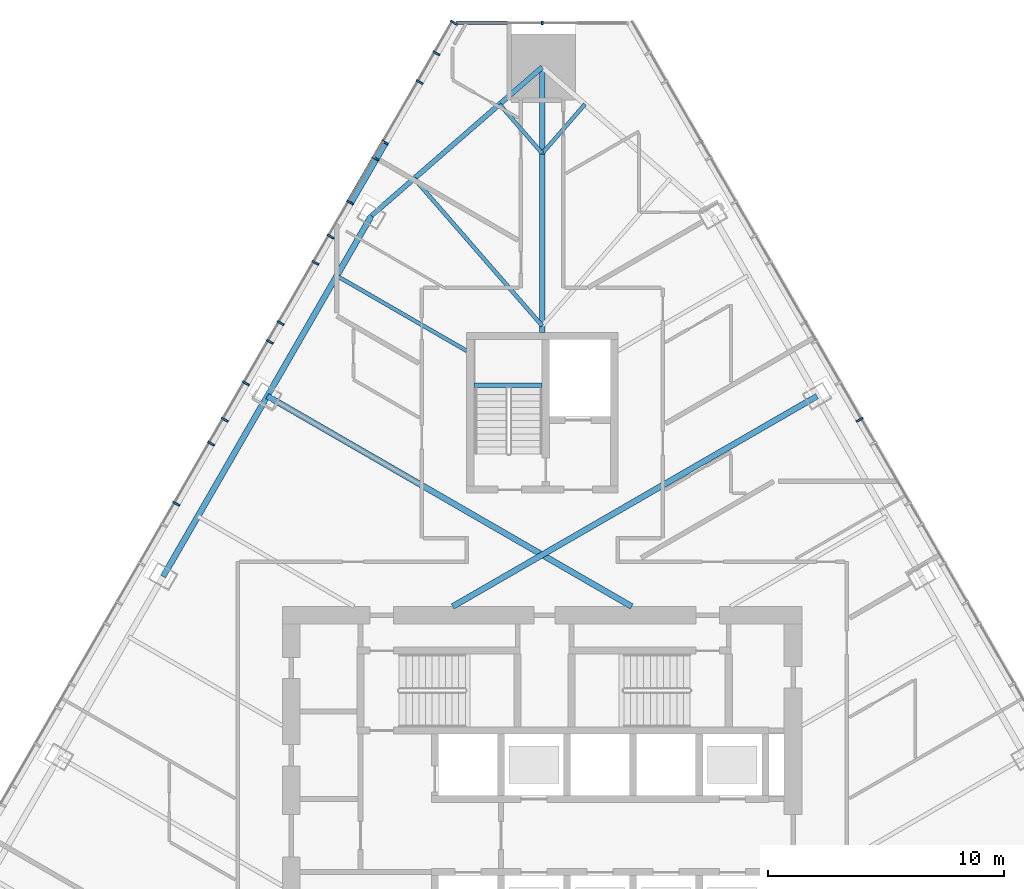
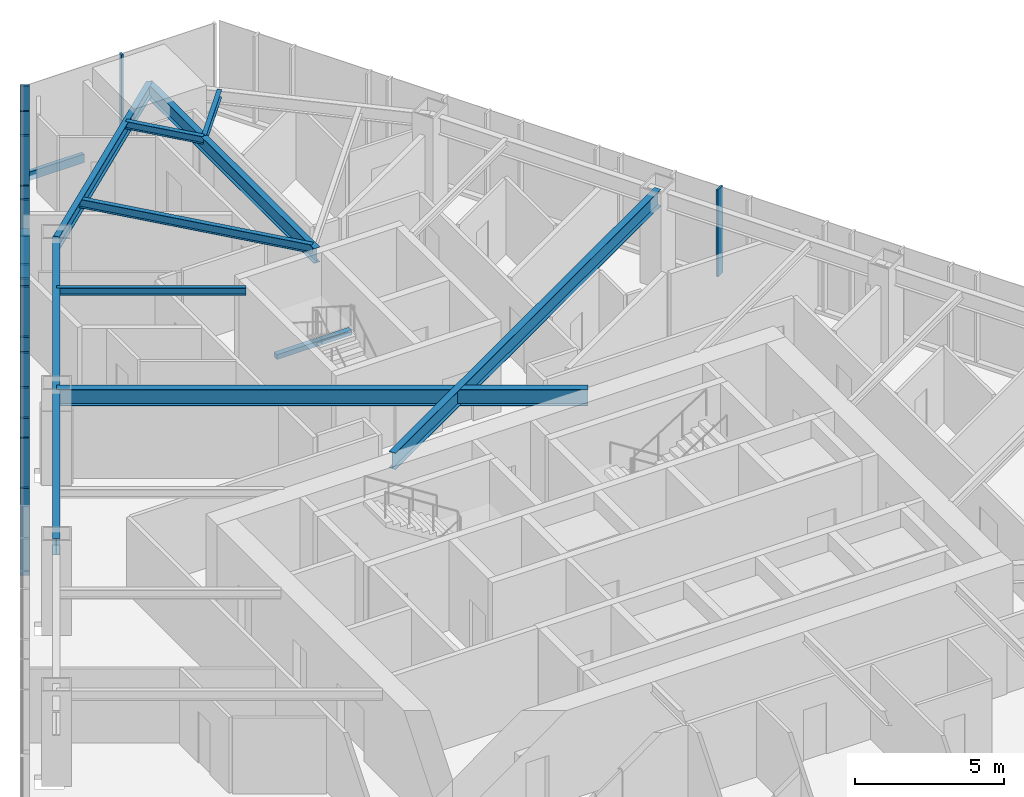
# One storey, part 7 of 19: 18 members, 10 beams, 3 elements without a shape of their own.
"""IFC4 building model written with IfcOpenShell, lengths in metres."""

from ifc_helpers import new_model, si_unit, direction, frame, origin, origin_2d, place, context, subcontext, project, spatial, rectangle, i_section, extrude, material, layer, layer_set, material_profile, profile_set, type_object, element, aggregate, save


model = new_model("IFC4")

# Units and contexts
model_context = context("Model", 3, precision=1e-05, world=origin(), true_north=direction((0.0, 1.0)))
body_context = subcontext(model_context, "Body", "Model", "MODEL_VIEW")
ifc_project = project(units=[si_unit("LENGTHUNIT", "METRE"), si_unit("AREAUNIT", "SQUARE_METRE"), si_unit("VOLUMEUNIT", "CUBIC_METRE"), si_unit("PLANEANGLEUNIT", "RADIAN"), si_unit("MASSUNIT", "GRAM", prefix="KILO")], contexts=[model_context])

# Site, building, storey
site_placement = place(None, origin())
site = spatial("IfcSite", under=ifc_project, at=site_placement, CompositionType="ELEMENT")
building_placement = place(site_placement, origin())
building = spatial("IfcBuilding", under=site, at=building_placement, Name="Firuza Gate Tower and Library", CompositionType="ELEMENT")
storey_placement = place(building_placement, frame((0.0, 0.0, 179.199951171875)))
storey = spatial("IfcBuildingStorey", under=building, at=storey_placement, Name="L41", CompositionType="ELEMENT", Elevation=179.199951171875)

# Curtain wall, member
ifc_material_1 = material(Name="Aluminium 6063-T6", Category="aluminium")
ifc_layer_1 = layer(ifc_material_1, 0.14990234375)
ifc_layer_set_1 = layer_set([ifc_layer_1], Name="Corner curtain wall, chamfers")
curtain_wall_type_1 = type_object("IfcCurtainWallType", Name="Corner curtain wall, chamfers", PredefinedType="NOTDEFINED", material=ifc_layer_set_1)
placement = place(storey_placement, origin())
curtain_wall_1 = element("IfcCurtainWall", 1, at=placement, inside=storey, type_object=curtain_wall_type_1, Name="CW4 L41 N corner", PredefinedType="NOTDEFINED")
ifc_material_2 = material(Name="Aluminium 6063-T6", Category="aluminium")
ifc_material_profile_1 = material_profile(ifc_material_2, rectangle(XDim=0.14990234375, YDim=0.080078125, at=origin_2d()))
ifc_profile_set_1 = profile_set([ifc_material_profile_1], Name="Aluminium 6063-T6")
member_type_1 = type_object("IfcMemberType", Name="Curtain wall mullion 80x150", PredefinedType="MULLION", material=ifc_profile_set_1)
member_1_placement = place(storey_placement, frame((75.0, 107.72021484375, 0.150146484375), z_axis=(0.0, 0.0, 1.0), x_axis=(0.0, -1.0, 0.0)))
member_1 = element("IfcMember", 2, at=member_1_placement, type_object=member_type_1, Name="Mullion", PredefinedType="MULLION", context=body_context, shape_type="SweptSolid", body=[
    extrude(rectangle(XDim=0.14990234375, YDim=0.080078125, at=origin_2d()), origin(), (0.0, 0.0, 1.0), 3.5498046875),
])

ifc_material_3 = material(Name="Aluminium 6063-T6", Category="aluminium")
ifc_layer_2 = layer(ifc_material_3, 0.14990234375)
ifc_layer_set_2 = layer_set([ifc_layer_2], Name="Unitised curtain wall, hotel")
curtain_wall_type_2 = type_object("IfcCurtainWallType", Name="Unitised curtain wall, hotel", PredefinedType="NOTDEFINED", material=ifc_layer_set_2)
curtain_wall_2 = element("IfcCurtainWall", 3, at=placement, inside=storey, type_object=curtain_wall_type_2, Name="CW2 L41 E face", PredefinedType="NOTDEFINED")
ifc_material_4 = material(Name="Aluminium 6063-T6", Category="aluminium")
ifc_material_profile_2 = material_profile(ifc_material_4, rectangle(XDim=0.320068359375, YDim=0.080078125, at=origin_2d()))
ifc_profile_set_2 = profile_set([ifc_material_profile_2], Name="Aluminium 6063-T6")
member_type_2 = type_object("IfcMemberType", Name="Curtain wall mullion 80x320", PredefinedType="MULLION", material=ifc_profile_set_2)
member_2_placement = place(storey_placement, frame((88.44677734375, 90.91015625, 0.150146484375), z_axis=(0.0, 0.0, 1.0), x_axis=(-0.866025403784, -0.5, 0.0)))
member_2 = element("IfcMember", 4, at=member_2_placement, type_object=member_type_2, Name="Mullion", PredefinedType="MULLION", context=body_context, shape_type="SweptSolid", body=[
    extrude(rectangle(XDim=0.320068359375, YDim=0.080078125, at=origin_2d()), origin(), (0.0, 0.0, 1.0), 3.5498046875),
])
aggregate(curtain_wall_2, [member_2])

# Curtain wall, members
curtain_wall_3 = element("IfcCurtainWall", 5, at=placement, inside=storey, type_object=curtain_wall_type_2, Name="CW2 L41 W face", PredefinedType="NOTDEFINED")
member_3_placement = place(storey_placement, frame((71.26318359375, 107.72802734375, 0.150146484375), z_axis=(0.0, 0.0, 1.0), x_axis=(0.866025403784, -0.5, 0.0)))
member_3 = element("IfcMember", 6, at=member_3_placement, type_object=member_type_2, Name="Mullion", PredefinedType="MULLION", context=body_context, shape_type="SweptSolid", body=[
    extrude(rectangle(XDim=0.320068359375, YDim=0.080078125, at=origin_2d()), origin(), (0.0, 0.0, 1.0), 3.5498046875),
])
member_4_placement = place(storey_placement, frame((69.81005859375, 105.211181640625, 0.150146484375), z_axis=(0.0, 0.0, 1.0), x_axis=(0.866025403784, -0.5, 0.0)))
member_4 = element("IfcMember", 7, at=member_4_placement, type_object=member_type_2, Name="Mullion", PredefinedType="MULLION", context=body_context, shape_type="SweptSolid", body=[
    extrude(rectangle(XDim=0.320068359375, YDim=0.080078125, at=origin_2d()), origin(), (0.0, 0.0, 1.0), 3.5498046875),
])
member_5_placement = place(storey_placement, frame((68.3369140625, 102.659912109375, 0.150146484375), z_axis=(0.0, 0.0, 1.0), x_axis=(0.866025403784, -0.5, 0.0)))
member_5 = element("IfcMember", 8, at=member_5_placement, type_object=member_type_2, Name="Mullion", PredefinedType="MULLION", context=body_context, shape_type="SweptSolid", body=[
    extrude(rectangle(XDim=0.320068359375, YDim=0.080078125, at=origin_2d()), origin(), (0.0, 0.0, 1.0), 3.5498046875),
])
member_6_placement = place(storey_placement, frame((66.864013671875, 100.1083984375, 0.150146484375), z_axis=(0.0, 0.0, 1.0), x_axis=(0.866025403784, -0.5, 0.0)))
member_6 = element("IfcMember", 9, at=member_6_placement, type_object=member_type_2, Name="Mullion", PredefinedType="MULLION", context=body_context, shape_type="SweptSolid", body=[
    extrude(rectangle(XDim=0.320068359375, YDim=0.080078125, at=origin_2d()), origin(), (0.0, 0.0, 1.0), 3.5498046875),
])
member_7_placement = place(storey_placement, frame((65.390869140625, 97.55712890625, 0.150146484375), z_axis=(0.0, 0.0, 1.0), x_axis=(0.866025403784, -0.5, 0.0)))
member_7 = element("IfcMember", 10, at=member_7_placement, type_object=member_type_2, Name="Mullion", PredefinedType="MULLION", context=body_context, shape_type="SweptSolid", body=[
    extrude(rectangle(XDim=0.320068359375, YDim=0.080078125, at=origin_2d()), origin(), (0.0, 0.0, 1.0), 3.5498046875),
])
member_8_placement = place(storey_placement, frame((63.917724609375, 95.005615234375, 0.150146484375), z_axis=(0.0, 0.0, 1.0), x_axis=(0.866025403784, -0.5, 0.0)))
member_8 = element("IfcMember", 11, at=member_8_placement, type_object=member_type_2, Name="Mullion", PredefinedType="MULLION", context=body_context, shape_type="SweptSolid", body=[
    extrude(rectangle(XDim=0.320068359375, YDim=0.080078125, at=origin_2d()), origin(), (0.0, 0.0, 1.0), 3.5498046875),
])
member_9_placement = place(storey_placement, frame((62.44482421875, 92.454345703125, 0.150146484375), z_axis=(0.0, 0.0, 1.0), x_axis=(0.866025403784, -0.5, 0.0)))
member_9 = element("IfcMember", 12, at=member_9_placement, type_object=member_type_2, Name="Mullion", PredefinedType="MULLION", context=body_context, shape_type="SweptSolid", body=[
    extrude(rectangle(XDim=0.320068359375, YDim=0.080078125, at=origin_2d()), origin(), (0.0, 0.0, 1.0), 3.5498046875),
])
member_10_placement = place(storey_placement, frame((60.9716796875, 89.90283203125, 0.150146484375), z_axis=(0.0, 0.0, 1.0), x_axis=(0.866025403784, -0.5, 0.0)))
member_10 = element("IfcMember", 13, at=member_10_placement, type_object=member_type_2, Name="Mullion", PredefinedType="MULLION", context=body_context, shape_type="SweptSolid", body=[
    extrude(rectangle(XDim=0.320068359375, YDim=0.080078125, at=origin_2d()), origin(), (0.0, 0.0, 1.0), 3.5498046875),
])
member_11_placement = place(storey_placement, frame((59.498779296875, 87.3515625, 0.150146484375), z_axis=(0.0, 0.0, 1.0), x_axis=(0.866025403784, -0.5, 0.0)))
member_11 = element("IfcMember", 14, at=member_11_placement, type_object=member_type_2, Name="Mullion", PredefinedType="MULLION", context=body_context, shape_type="SweptSolid", body=[
    extrude(rectangle(XDim=0.320068359375, YDim=0.080078125, at=origin_2d()), origin(), (0.0, 0.0, 1.0), 3.5498046875),
])
member_12_placement = place(storey_placement, frame((70.51513671875, 106.4326171875, 0.150146484375), z_axis=(0.0, 0.0, 1.0), x_axis=(0.866025403784, -0.5, 0.0)))
member_12 = element("IfcMember", 15, at=member_12_placement, type_object=member_type_2, Name="Mullion", PredefinedType="MULLION", context=body_context, shape_type="SweptSolid", body=[
    extrude(rectangle(XDim=0.320068359375, YDim=0.080078125, at=origin_2d()), origin(), (0.0, 0.0, 1.0), 3.5498046875),
])
member_13_placement = place(storey_placement, frame((67.94091796875, 101.973876953125, 1.965087890625), z_axis=(0.0, 0.0, 1.0), x_axis=(0.866025403784, -0.5, 0.0)))
member_13 = element("IfcMember", 16, at=member_13_placement, type_object=member_type_2, Name="Mullion", PredefinedType="MULLION", context=body_context, shape_type="SweptSolid", body=[
    extrude(rectangle(XDim=0.320068359375, YDim=0.080078125, at=origin_2d()), origin(), (0.0, 0.0, 1.0), 1.73486328125),
])
member_14_placement = place(storey_placement, frame((66.0341796875, 98.67138671875, 0.150146484375), z_axis=(0.0, 0.0, 1.0), x_axis=(0.866025403784, -0.5, 0.0)))
member_14 = element("IfcMember", 17, at=member_14_placement, type_object=member_type_2, Name="Mullion", PredefinedType="MULLION", context=body_context, shape_type="SweptSolid", body=[
    extrude(rectangle(XDim=0.320068359375, YDim=0.080078125, at=origin_2d()), origin(), (0.0, 0.0, 1.0), 3.5498046875),
])
member_15_placement = place(storey_placement, frame((63.4599609375, 94.212646484375, 0.150146484375), z_axis=(0.0, 0.0, 1.0), x_axis=(0.866025403784, -0.5, 0.0)))
member_15 = element("IfcMember", 18, at=member_15_placement, type_object=member_type_2, Name="Mullion", PredefinedType="MULLION", context=body_context, shape_type="SweptSolid", body=[
    extrude(rectangle(XDim=0.320068359375, YDim=0.080078125, at=origin_2d()), origin(), (0.0, 0.0, 1.0), 3.5498046875),
])
member_16_placement = place(storey_placement, frame((61.55322265625, 90.91015625, 0.150146484375), z_axis=(0.0, 0.0, 1.0), x_axis=(0.866025403784, -0.5, 0.0)))
member_16 = element("IfcMember", 19, at=member_16_placement, type_object=member_type_2, Name="Mullion", PredefinedType="MULLION", context=body_context, shape_type="SweptSolid", body=[
    extrude(rectangle(XDim=0.320068359375, YDim=0.080078125, at=origin_2d()), origin(), (0.0, 0.0, 1.0), 3.5498046875),
])

# Member
ifc_material_5 = material(Name="Aluminium 6063-T6", Category="aluminium")
ifc_material_profile_3 = material_profile(ifc_material_5, rectangle(XDim=0.14990234375, YDim=0.35009765625, at=origin_2d()))
ifc_profile_set_3 = profile_set([ifc_material_profile_3], Name="Aluminium 6063-T6")
member_type_3 = type_object("IfcMemberType", Name="Curtain wall transom 350x150", PredefinedType="USERDEFINED", material=ifc_profile_set_3)
member_17_placement = place(storey_placement, frame((73.52001953125, 107.72021484375, -0.02490234375), z_axis=(-1.0, 0.0, 0.0), x_axis=(0.0, -1.0, 0.0)))
member_17 = element("IfcMember", 20, at=member_17_placement, type_object=member_type_3, Name="Transom", ObjectType="TRANSOM", PredefinedType="USERDEFINED", context=body_context, shape_type="SweptSolid", body=[
    extrude(rectangle(XDim=0.14990234375, YDim=0.35009765625, at=origin_2d()), origin(), (0.0, 0.0, 1.0), 2.163330078125),
])

aggregate(curtain_wall_1, [member_1, member_17])

ifc_material_6 = material(Name="Aluminium 6063-T6", Category="aluminium")
ifc_material_profile_4 = material_profile(ifc_material_6, rectangle(XDim=0.320068359375, YDim=0.080078125, at=origin_2d()))
ifc_profile_set_4 = profile_set([ifc_material_profile_4], Name="Aluminium 6063-T6")
member_type_4 = type_object("IfcMemberType", Name="Curtain wall transom 80x320", PredefinedType="USERDEFINED", material=ifc_profile_set_4)
member_18_placement = place(storey_placement, frame((68.31689453125, 102.625244140625, 1.925048828125), z_axis=(-0.499941210384, -0.866059343325, 0.0), x_axis=(0.866059343325, -0.499941210384, 0.0)))
member_18 = element("IfcMember", 21, at=member_18_placement, type_object=member_type_4, Name="Transom", ObjectType="TRANSOM", PredefinedType="USERDEFINED", context=body_context, shape_type="SweptSolid", body=[
    extrude(rectangle(XDim=0.320068359375, YDim=0.080078125, at=origin_2d()), origin(), (0.0, 0.0, 1.0), 2.865966796875),
])

aggregate(curtain_wall_3, [member_3, member_4, member_5, member_6, member_7, member_8, member_9, member_10, member_11, member_12, member_13, member_18, member_14, member_15, member_16])

# Beams
ifc_material_7 = material(Name="Concrete C35/45", Category="concrete")
ifc_material_profile_5 = material_profile(ifc_material_7, rectangle(XDim=0.199951171875, YDim=0.199951171875, at=origin_2d()))
ifc_profile_set_5 = profile_set([ifc_material_profile_5], Name="Concrete C35/45")
beam_type_1 = type_object("IfcBeamType", Name="Stair landing bearer 200x200", PredefinedType="BEAM", material=ifc_profile_set_5)
beam_1_placement = place(storey_placement, frame((75.0, 92.3701171875, 1.650146484375), z_axis=(-1.0, 0.0, 0.0), x_axis=(0.0, -1.0, 0.0)))
element("IfcBeam", 22, at=beam_1_placement, inside=storey, type_object=beam_type_1, Name="Landing bearer L41 stair 3", PredefinedType="BEAM", context=body_context, shape_type="SweptSolid", body=[
    extrude(rectangle(XDim=0.199951171875, YDim=0.199951171875, at=origin_2d()), origin(), (0.0, 0.0, 1.0), 2.89990234375),
])
ifc_material_8 = material(Name="Steel S355", Category="steel")
ifc_material_profile_6 = material_profile(ifc_material_8, i_section(OverallWidth=0.1650390625, OverallDepth=0.31005859375, WebThickness=0.005859375, FlangeThickness=0.009765625, at=origin_2d()))
ifc_profile_set_6 = profile_set([ifc_material_profile_6], Name="Steel S355")
beam_type_2 = type_object("IfcBeamType", Name="W310x39 Floor beam", PredefinedType="JOIST", material=ifc_profile_set_6)
for number, where, z_axis, x_axis, name in (
    (23, (76.80810546875, 104.272216796875, 3.545166015625), (-0.656349840757, -0.754456683009, 0.0), (0.754456683009, -0.656349840757, 0.0), "Floor beam L41 s61"),
    (24, (73.19189453125, 104.272216796875, 3.545166015625), (0.656349840757, -0.754456683009, 0.0), (0.754456683009, 0.656349840757, 0.0), "Floor beam L41 s70"),
):
    element("IfcBeam", number, at=place(storey_placement, frame(where, z_axis=z_axis, x_axis=x_axis)), inside=storey, type_object=beam_type_2, Name=name, PredefinedType="JOIST", context=body_context, shape_type="SweptSolid", body=[
        extrude(i_section(OverallWidth=0.1650390625, OverallDepth=0.31005859375, WebThickness=0.005859375, FlangeThickness=0.009765625, at=origin_2d()), origin(), (0.0, 0.0, 1.0), 2.7548828125),
    ])
beam_2_placement = place(storey_placement, frame((66.296875, 97.00634765625, 3.545166015625), z_axis=(0.866026275825, -0.499998489578, 0.0), x_axis=(0.499998489578, 0.866026275825, 0.0)))
element("IfcBeam", 25, at=beam_2_placement, inside=storey, type_object=beam_type_2, Name="Floor beam L41 s80", PredefinedType="JOIST", context=body_context, shape_type="SweptSolid", body=[
    extrude(i_section(OverallWidth=0.1650390625, OverallDepth=0.31005859375, WebThickness=0.005859375, FlangeThickness=0.009765625, at=origin_2d()), origin(), (0.0, 0.0, 1.0), 6.3544921875),
])
ifc_material_9 = material(Name="Steel S355", Category="steel")
ifc_material_profile_7 = material_profile(ifc_material_9, i_section(OverallWidth=0.1708984375, OverallDepth=0.35498046875, WebThickness=0.007080078125, FlangeThickness=0.01171875, at=origin_2d()))
ifc_profile_set_7 = profile_set([ifc_material_profile_7], Name="Steel S355")
beam_type_3 = type_object("IfcBeamType", Name="W360x51 Floor beam", PredefinedType="JOIST", material=ifc_profile_set_7)
beam_3_placement = place(storey_placement, frame((69.57568359375, 101.12646484375, 3.5224609375), z_axis=(0.656320584547, -0.754482133851, 0.0), x_axis=(0.754482133851, 0.656320584547, 0.0)))
element("IfcBeam", 26, at=beam_3_placement, inside=storey, type_object=beam_type_3, Name="Floor beam L41 s71", PredefinedType="JOIST", context=body_context, shape_type="SweptSolid", body=[
    extrude(i_section(OverallWidth=0.1708984375, OverallDepth=0.35498046875, WebThickness=0.007080078125, FlangeThickness=0.01171875, at=origin_2d()), origin(), (0.0, 0.0, 1.0), 8.2646484375),
])
ifc_material_10 = material(Name="Steel S355", Category="steel")
ifc_material_profile_8 = material_profile(ifc_material_10, i_section(OverallWidth=0.212890625, OverallDepth=0.5390625, WebThickness=0.01171875, FlangeThickness=0.018798828125, at=origin_2d()))
ifc_profile_set_8 = profile_set([ifc_material_profile_8], Name="Steel S355")
beam_type_4 = type_object("IfcBeamType", Name="W530x109 Edge beam", PredefinedType="SPANDREL", material=ifc_profile_set_8)
beam_4_placement = place(storey_placement, frame((75.0, 105.84521484375, 3.4306640625), z_axis=(-0.754466787809, -0.656338225379, 0.0), x_axis=(0.656338225379, -0.754466787809, 0.0)))
element("IfcBeam", 27, at=beam_4_placement, inside=storey, type_object=beam_type_4, Name="Edge beam L41 e70", PredefinedType="SPANDREL", context=body_context, shape_type="SweptSolid", body=[
    extrude(i_section(OverallWidth=0.212890625, OverallDepth=0.5390625, WebThickness=0.01171875, FlangeThickness=0.018798828125, at=origin_2d()), origin(), (0.0, 0.0, 1.0), 9.586181640625),
])
ifc_material_11 = material(Name="Steel S355", Category="steel")
ifc_material_profile_9 = material_profile(ifc_material_11, i_section(OverallWidth=0.22802734375, OverallDepth=0.60302734375, WebThickness=0.010498046875, FlangeThickness=0.014892578125, at=origin_2d()))
ifc_profile_set_9 = profile_set([ifc_material_profile_9], Name="Steel S355")
beam_type_5 = type_object("IfcBeamType", Name="W610x101 Girder", PredefinedType="BEAM", material=ifc_profile_set_9)
beam_5_placement = place(storey_placement, frame((75.0, 105.84521484375, 3.3984375), z_axis=(0.0, -1.0, 0.0), x_axis=(1.0, 0.0, 0.0)))
element("IfcBeam", 28, at=beam_5_placement, inside=storey, type_object=beam_type_5, Name="Girder L41 gN", PredefinedType="BEAM", context=body_context, shape_type="SweptSolid", body=[
    extrude(i_section(OverallWidth=0.22802734375, OverallDepth=0.60302734375, WebThickness=0.010498046875, FlangeThickness=0.014892578125, at=origin_2d()), origin(), (0.0, 0.0, 1.0), 11.2451171875),
])
ifc_material_12 = material(Name="Steel S355", Category="steel")
ifc_material_profile_10 = material_profile(ifc_material_12, i_section(OverallWidth=0.2529296875, OverallDepth=0.677978515625, WebThickness=0.01171875, FlangeThickness=0.016357421875, at=origin_2d()))
ifc_profile_set_10 = profile_set([ifc_material_profile_10], Name="Steel S355")
beam_type_6 = type_object("IfcBeamType", Name="W690x125 Edge beam", PredefinedType="SPANDREL", material=ifc_profile_set_10)
beam_6_placement = place(storey_placement, frame((67.767578125, 99.553466796875, 3.361083984375), z_axis=(-0.50000905945, -0.866020173245, 0.0), x_axis=(0.866020173245, -0.50000905945, 0.0)))
element("IfcBeam", 29, at=beam_6_placement, inside=storey, type_object=beam_type_6, Name="Edge beam L41 e80", PredefinedType="SPANDREL", context=body_context, shape_type="SweptSolid", body=[
    extrude(i_section(OverallWidth=0.2529296875, OverallDepth=0.677978515625, WebThickness=0.01171875, FlangeThickness=0.016357421875, at=origin_2d()), origin(), (0.0, 0.0, 1.0), 17.647705078125),
])
ifc_material_13 = material(Name="Steel S355", Category="steel")
ifc_material_profile_11 = material_profile(ifc_material_13, i_section(OverallWidth=0.2529296875, OverallDepth=0.677978515625, WebThickness=0.01171875, FlangeThickness=0.016357421875, at=origin_2d()))
ifc_profile_set_11 = profile_set([ifc_material_profile_11], Name="Steel S355")
beam_type_7 = type_object("IfcBeamType", Name="W690x125 Floor beam", PredefinedType="JOIST", material=ifc_profile_set_11)
for number, where, z_axis, x_axis, name in (
    (30, (86.64453125, 91.911865234375, 3.361083984375), (-0.866025230413, -0.500000300289, 0.0), (0.500000300289, -0.866025230413, 0.0), "Floor beam L41 s54"),
    (31, (63.35546875, 91.911865234375, 3.361083984375), (0.866025230413, -0.500000300289, 0.0), (0.500000300289, 0.866025230413, 0.0), "Floor beam L41 s81"),
):
    element("IfcBeam", number, at=place(storey_placement, frame(where, z_axis=z_axis, x_axis=x_axis)), inside=storey, type_object=beam_type_7, Name=name, PredefinedType="JOIST", context=body_context, shape_type="SweptSolid", body=[
        extrude(i_section(OverallWidth=0.2529296875, OverallDepth=0.677978515625, WebThickness=0.01171875, FlangeThickness=0.016357421875, at=origin_2d()), origin(), (0.0, 0.0, 1.0), 17.82373046875),
    ])

save(model, "model.ifc")
